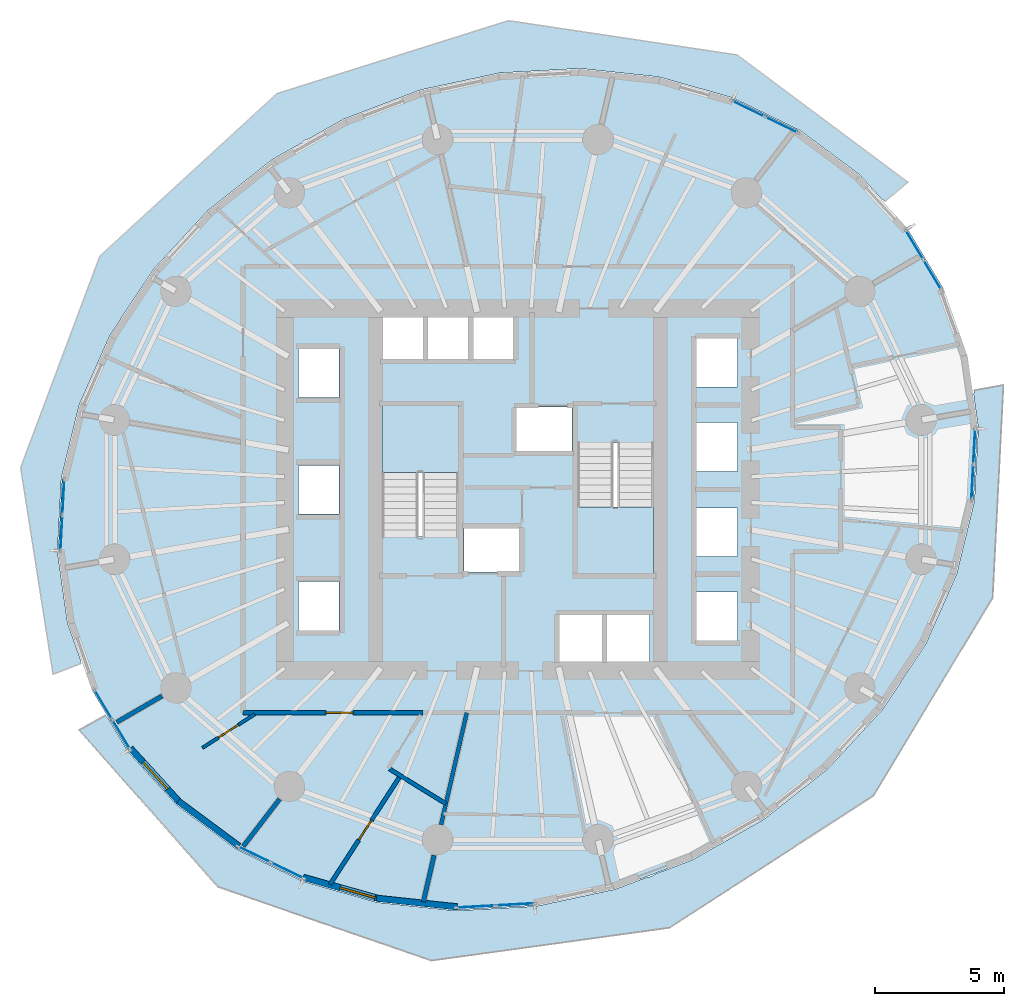
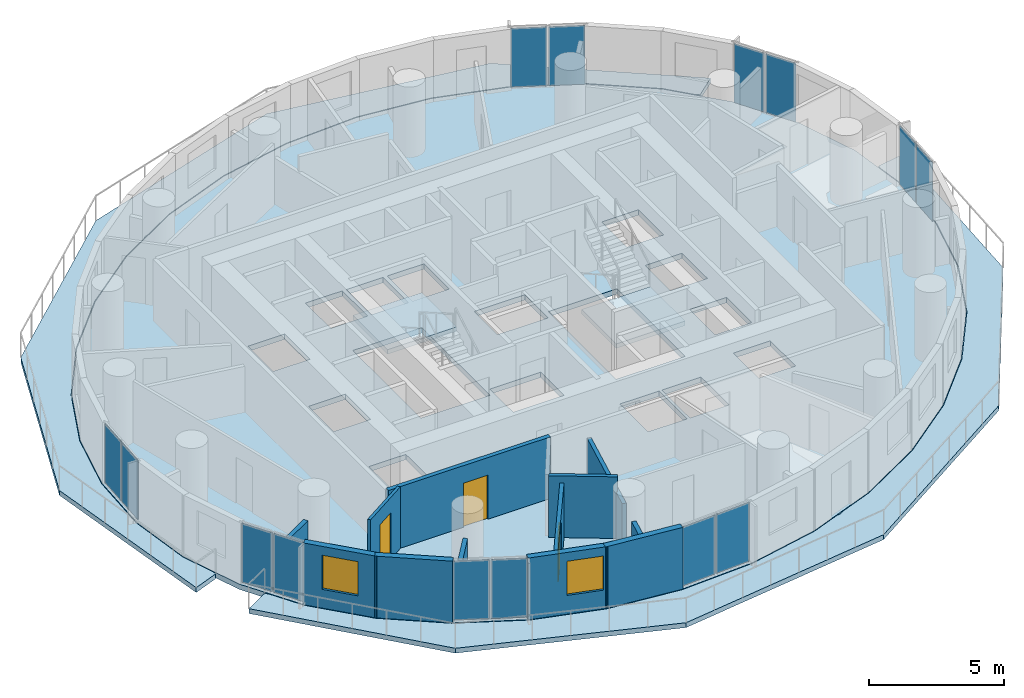
# One storey, part 6 of 15: 14 plates, 12 walls, 5 slabs, 3 doors, 2 windows, 5 openings, 9 elements without a shape of their own.
"""IFC4 building model written with IfcOpenShell, lengths in metres."""

from ifc_helpers import new_model, si_unit, direction, frame, frame_2d, origin, origin_2d, place, context, subcontext, project, spatial, polyline, rectangle, outline, extrude, material, layer, layer_set, type_object, element, fill, aggregate, save


model = new_model("IFC4")

# Units and contexts
model_context = context("Model", 3, precision=1e-05, world=origin(), true_north=direction((0.0, 1.0)))
body_context = subcontext(model_context, "Body", "Model", "MODEL_VIEW")
ifc_project = project(units=[si_unit("LENGTHUNIT", "METRE"), si_unit("AREAUNIT", "SQUARE_METRE"), si_unit("VOLUMEUNIT", "CUBIC_METRE"), si_unit("PLANEANGLEUNIT", "RADIAN"), si_unit("MASSUNIT", "GRAM", prefix="KILO")], contexts=[model_context])

# Site, building, storey
site_placement = place(None, origin())
site = spatial("IfcSite", under=ifc_project, at=site_placement, CompositionType="ELEMENT")
building_placement = place(site_placement, origin())
building = spatial("IfcBuilding", under=site, at=building_placement, Name="Veldorim Arch Residences", CompositionType="ELEMENT")
storey_placement = place(building_placement, frame((0.0, 0.0, 109.280029296875)))
storey = spatial("IfcBuildingStorey", under=building, at=storey_placement, Name="L32", CompositionType="ELEMENT", Elevation=109.280029296875)

# Slabs
ifc_material_1 = material(Name="Concrete C40/50", Category="concrete")
ifc_layer_1 = layer(ifc_material_1, 0.219970703125, Name="Planted Crescent Cantilever Balcony Slab 220")
ifc_layer_set_1 = layer_set([ifc_layer_1], Name="Concrete C40/50")
slab_type_1 = type_object("IfcSlabType", Name="Planted Crescent Cantilever Balcony Slab 220", PredefinedType="FLOOR", material=ifc_layer_set_1)
slab_1_placement = place(storey_placement, frame((0.0, 0.0, -0.219970703125)))
element("IfcSlab", 1, at=slab_1_placement, inside=storey, type_object=slab_type_1, Name="L32 planted crescent balcony slab A", PredefinedType="FLOOR", context=body_context, shape_type="SweptSolid", body=[
    extrude(outline(polyline([(46.057373046875, 35.239501953125), (45.190673828125, 36.190185546875), (42.910888671875, 37.880615234375), (40.2998046875, 39.149169921875), (37.436767578125, 39.957275390625), (34.408447265625, 40.280517578125), (31.307373046875, 40.109375), (28.227294921875, 39.44873046875), (25.261962890625, 38.319091796875), (23.923095703125, 37.56005859375), (23.7548828125, 37.504638671875), (23.631103515625, 37.39453125), (22.501220703125, 36.754150390625), (20.029052734375, 34.802001953125), (17.92041015625, 32.521728515625), (16.2392578125, 29.982421875), (15.036865234375, 27.26123046875), (14.35009765625, 24.44091796875), (14.19921875, 21.606689453125), (14.589599609375, 18.84521484375), (15.085205078125, 17.441650390625), (15.100830078125, 17.272705078125), (14.028564453125, 16.857177734375), (12.7744140625, 24.85107421875), (15.839111328125, 33.02880859375), (22.68603515625, 39.3125), (31.63671875, 42.13330078125), (40.476318359375, 40.808349609375), (47.08251953125, 35.884765625), (46.20166015625, 35.1455078125), (46.057373046875, 35.239501953125)])), origin(), (0.0, 0.0, 1.0), 0.219970703125),
])
slab_2_placement = place(storey_placement, frame((0.0, 0.0, -0.219970703125)))
element("IfcSlab", 2, at=slab_2_placement, inside=storey, type_object=slab_type_1, Name="L32 planted crescent balcony slab B", PredefinedType="FLOOR", context=body_context, shape_type="SweptSolid", body=[
    extrude(outline(polyline([(16.164794921875, 15.1474609375), (16.930419921875, 13.87109375), (18.809326171875, 11.809814453125), (21.089111328125, 10.119384765625), (23.7001953125, 8.850830078125), (26.563232421875, 8.042724609375), (29.591552734375, 7.719482421875), (32.692626953125, 7.890625), (35.772705078125, 8.55126953125), (36.986083984375, 9.013671875), (37.14990234375, 9.038818359375), (37.2998046875, 9.133056640625), (38.738037109375, 9.680908203125), (41.498779296875, 11.245849609375), (43.970947265625, 13.197998046875), (46.07958984375, 15.478271484375), (47.7607421875, 18.017578125), (48.963134765625, 20.73876953125), (49.64990234375, 23.55908203125), (49.80078125, 26.393310546875), (49.62060546875, 27.6669921875), (49.640380859375, 27.838134765625), (50.771484375, 28.045654296875), (50.35400390625, 19.81689453125), (45.740234375, 12.16162109375), (37.861572265625, 7.06298828125), (28.655517578125, 5.79248046875), (20.40087890625, 8.64404296875), (15.041015625, 14.705810546875), (16.044677734375, 15.26708984375), (16.164794921875, 15.1474609375)])), origin(), (0.0, 0.0, 1.0), 0.219970703125),
])

# Stair, slab
ifc_material_2 = material(Name="Concrete C40/50", Category="concrete")
stair_type = type_object("IfcStairType", Name="Reinforced Concrete Dogleg Exit Staircase", PredefinedType="HALF_TURN_STAIR", material=ifc_material_2)
stair_1_placement = place(storey_placement, origin())
stair_1 = element("IfcStair", 3, at=stair_1_placement, inside=storey, type_object=stair_type, Name="L32 Exit Staircase ST-1", PredefinedType="HALF_TURN_STAIR")
ifc_material_3 = material(Name="Concrete C40/50", Category="concrete")
ifc_layer_2 = layer(ifc_material_3, 0.199951171875, Name="Reinforced Concrete Stair Landing 200")
ifc_layer_set_2 = layer_set([ifc_layer_2], Name="Concrete C40/50")
slab_type_2 = type_object("IfcSlabType", Name="Reinforced Concrete Stair Landing 200", PredefinedType="LANDING", material=ifc_layer_set_2)
slab_3_placement = place(storey_placement, frame((0.0, 0.0, 1.39990234375)))
slab_3 = element("IfcSlab", 4, at=slab_3_placement, type_object=slab_type_2, Name="ST-1 landing 1", PredefinedType="LANDING", context=body_context, shape_type="SweptSolid", body=[
    extrude(outline(polyline([(29.7099609375, 24.669921875), (29.7099609375, 27.25), (26.75, 27.25), (26.75, 24.669921875), (29.7099609375, 24.669921875)])), origin(), (0.0, 0.0, 1.0), 0.199951171875),
])
aggregate(stair_1, [slab_3])

stair_2_placement = place(storey_placement, origin())
stair_2 = element("IfcStair", 5, at=stair_2_placement, inside=storey, type_object=stair_type, Name="L32 Exit Staircase ST-2", PredefinedType="HALF_TURN_STAIR")
slab_4_placement = place(storey_placement, frame((0.0, 0.0, 1.39990234375)))
slab_4 = element("IfcSlab", 6, at=slab_4_placement, type_object=slab_type_2, Name="ST-2 landing 1", PredefinedType="LANDING", context=body_context, shape_type="SweptSolid", body=[
    extrude(outline(polyline([(34.2900390625, 23.330078125), (34.2900390625, 20.75), (37.25, 20.75), (37.25, 23.330078125), (34.2900390625, 23.330078125)])), origin(), (0.0, 0.0, 1.0), 0.199951171875),
])
aggregate(stair_2, [slab_4])

# Slab
ifc_material_4 = material(Name="Concrete C40/50", Category="concrete")
ifc_layer_3 = layer(ifc_material_4, 0.239990234375, Name="Typical Residential Floor Slab 240")
ifc_layer_set_3 = layer_set([ifc_layer_3], Name="Concrete C40/50")
slab_type_3 = type_object("IfcSlabType", Name="Typical Residential Floor Slab 240", PredefinedType="FLOOR", material=ifc_layer_set_3)
slab_5_placement = place(storey_placement, frame((0.0, 0.0, -0.239990234375)))
element("IfcSlab", 7, at=slab_5_placement, inside=storey, type_object=slab_type_3, Name="L32 tower structural floor slab", PredefinedType="FLOOR", context=body_context, shape_type="SweptSolid", body=[
    extrude(outline(polyline([(48.468017578125, 31.749267578125), (47.049560546875, 34.114013671875), (45.173828125, 36.17138671875), (42.89794921875, 37.859130859375), (40.291015625, 39.125732421875), (37.431884765625, 39.9326171875), (34.407958984375, 40.255615234375), (31.310791015625, 40.08447265625), (28.234619140625, 39.4248046875), (25.272705078125, 38.29638671875), (22.515380859375, 36.7333984375), (20.046142578125, 34.78369140625), (17.940185546875, 32.50634765625), (16.26123046875, 29.970458984375), (15.060791015625, 27.253173828125), (14.374755859375, 24.43701171875), (14.224365234375, 21.60791015625), (14.614013671875, 18.85107421875), (15.531982421875, 16.250732421875), (16.950439453125, 13.885986328125), (18.826171875, 11.82861328125), (21.10205078125, 10.140869140625), (23.708984375, 8.874267578125), (26.568115234375, 8.0673828125), (29.592041015625, 7.744384765625), (32.689208984375, 7.91552734375), (35.765380859375, 8.5751953125), (38.727294921875, 9.70361328125), (41.484619140625, 11.2666015625), (43.953857421875, 13.21630859375), (46.059814453125, 15.49365234375), (47.73876953125, 18.029541015625), (48.939208984375, 20.746826171875), (49.625244140625, 23.56298828125), (49.775634765625, 26.39208984375), (49.385986328125, 29.14892578125), (48.468017578125, 31.749267578125)]), holes=[polyline([(23.510009765625, 20.43994140625), (25.090087890625, 20.43994140625), (25.090087890625, 18.56005859375), (23.510009765625, 18.56005859375), (23.510009765625, 20.43994140625)]), polyline([(29.909912109375, 22.544921875), (32.090087890625, 22.544921875), (32.090087890625, 20.81494140625), (29.909912109375, 20.81494140625), (29.909912109375, 22.544921875)]), polyline([(23.510009765625, 24.93994140625), (25.090087890625, 24.93994140625), (25.090087890625, 23.06005859375), (23.510009765625, 23.06005859375), (23.510009765625, 24.93994140625)]), polyline([(26.75, 27.25), (29.7099609375, 27.25), (29.7099609375, 22.195068359375), (26.75, 22.195068359375), (26.75, 27.25)]), polyline([(23.510009765625, 29.43994140625), (25.090087890625, 29.43994140625), (25.090087890625, 27.56005859375), (23.510009765625, 27.56005859375), (23.510009765625, 29.43994140625)]), polyline([(26.760009765625, 30.7900390625), (28.340087890625, 30.7900390625), (28.340087890625, 28.909912109375), (26.760009765625, 28.909912109375), (26.760009765625, 30.7900390625)]), polyline([(28.510009765625, 30.7900390625), (30.090087890625, 30.7900390625), (30.090087890625, 28.909912109375), (28.510009765625, 28.909912109375), (28.510009765625, 30.7900390625)]), polyline([(30.260009765625, 30.7900390625), (31.840087890625, 30.7900390625), (31.840087890625, 28.909912109375), (30.260009765625, 28.909912109375), (30.260009765625, 30.7900390625)]), polyline([(33.610107421875, 19.2900390625), (35.2900390625, 19.2900390625), (35.2900390625, 17.2099609375), (33.610107421875, 17.2099609375), (33.610107421875, 19.2900390625)]), polyline([(35.409912109375, 19.2900390625), (37.090087890625, 19.2900390625), (37.090087890625, 17.2099609375), (35.409912109375, 17.2099609375), (35.409912109375, 19.2900390625)]), polyline([(38.909912109375, 20.0400390625), (40.489990234375, 20.0400390625), (40.489990234375, 18.159912109375), (38.909912109375, 18.159912109375), (38.909912109375, 20.0400390625)]), polyline([(38.909912109375, 23.2900390625), (40.489990234375, 23.2900390625), (40.489990234375, 21.409912109375), (38.909912109375, 21.409912109375), (38.909912109375, 23.2900390625)]), polyline([(34.2900390625, 25.804931640625), (37.25, 25.804931640625), (37.25, 20.75), (34.2900390625, 20.75), (34.2900390625, 25.804931640625)]), polyline([(38.909912109375, 26.590087890625), (40.489990234375, 26.590087890625), (40.489990234375, 24.7099609375), (38.909912109375, 24.7099609375), (38.909912109375, 26.590087890625)]), polyline([(31.909912109375, 27.18505859375), (34.090087890625, 27.18505859375), (34.090087890625, 25.455078125), (31.909912109375, 25.455078125), (31.909912109375, 27.18505859375)]), polyline([(38.909912109375, 29.840087890625), (40.489990234375, 29.840087890625), (40.489990234375, 27.9599609375), (38.909912109375, 27.9599609375), (38.909912109375, 29.840087890625)])]), origin(), (0.0, 0.0, 1.0), 0.239990234375),
])

# Curtain wall, plates
ifc_material_5 = material(Name="Aluminium", Category="aluminium")
curtain_wall_type = type_object("IfcCurtainWallType", Name="Zone 2 Solar-Control Unitised Curtain Wall", PredefinedType="NOTDEFINED", material=ifc_material_5)
curtain_wall_1_placement = place(storey_placement, origin())
curtain_wall_1 = element("IfcCurtainWall", 8, at=curtain_wall_1_placement, inside=storey, type_object=curtain_wall_type, Name="L32 unitised curtain wall bay 01", PredefinedType="NOTDEFINED")
ifc_material_6 = material(Name="Laminated Low-E Glass", Category="glass")
ifc_layer_4 = layer(ifc_material_6, 0.02587890625, Name="Zone 2 Solar-Control Unitised Curtain Wall Glazing Panel 26")
ifc_layer_set_4 = layer_set([ifc_layer_4], Name="Laminated Low-E Glass")
plate_type = type_object("IfcPlateType", Name="Zone 2 Solar-Control Unitised Curtain Wall Glazing Panel 26", PredefinedType="CURTAIN_PANEL", material=ifc_layer_set_4)
plate_1_placement = place(storey_placement, frame((47.335205078125, 33.462646484375, 0.06494140625), z_axis=(0.0, 0.0, 1.0), x_axis=(0.514367759315, -0.85756971039, 0.0)))
plate_1 = element("IfcPlate", 9, at=plate_1_placement, type_object=plate_type, Name="CW-Z2 panel 1.1", PredefinedType="CURTAIN_PANEL", context=body_context, shape_type="SweptSolid", body=[
    extrude(rectangle(XDim=1.28125, YDim=0.02587890625, at=origin_2d()), origin(), (0.0, 0.0, 1.0), 2.669921875),
])
plate_2_placement = place(storey_placement, frame((48.02783203125, 32.30810546875, 0.06494140625), z_axis=(0.0, 0.0, 1.0), x_axis=(0.514367759315, -0.85756971039, 0.0)))
plate_2 = element("IfcPlate", 10, at=plate_2_placement, type_object=plate_type, Name="CW-Z2 panel 2.1", PredefinedType="CURTAIN_PANEL", context=body_context, shape_type="SweptSolid", body=[
    extrude(rectangle(XDim=1.28125, YDim=0.02587890625, at=origin_2d()), origin(), (0.0, 0.0, 1.0), 2.669921875),
])
aggregate(curtain_wall_1, [plate_1, plate_2])

curtain_wall_2_placement = place(storey_placement, origin())
curtain_wall_2 = element("IfcCurtainWall", 11, at=curtain_wall_2_placement, inside=storey, type_object=curtain_wall_type, Name="L32 unitised curtain wall bay 04", PredefinedType="NOTDEFINED")
plate_3_placement = place(storey_placement, frame((40.91796875, 38.720947265625, 0.06494140625), z_axis=(0.0, 0.0, 1.0), x_axis=(0.899461664946, -0.436999671959, 0.0)))
plate_3 = element("IfcPlate", 12, at=plate_3_placement, type_object=plate_type, Name="CW-Z2 panel 1.1", PredefinedType="CURTAIN_PANEL", context=body_context, shape_type="SweptSolid", body=[
    extrude(rectangle(XDim=1.351806640625, YDim=0.02587890625, at=origin_2d()), origin(), (0.0, 0.0, 1.0), 2.669921875),
])
plate_4_placement = place(storey_placement, frame((42.192138671875, 38.101806640625, 0.06494140625), z_axis=(0.0, 0.0, 1.0), x_axis=(0.899461664946, -0.436999671959, 0.0)))
plate_4 = element("IfcPlate", 13, at=plate_4_placement, type_object=plate_type, Name="CW-Z2 panel 2.1", PredefinedType="CURTAIN_PANEL", context=body_context, shape_type="SweptSolid", body=[
    extrude(rectangle(XDim=1.351806640625, YDim=0.02587890625, at=origin_2d()), origin(), (0.0, 0.0, 1.0), 2.669921875),
])
aggregate(curtain_wall_2, [plate_3, plate_4])

curtain_wall_3_placement = place(storey_placement, origin())
curtain_wall_3 = element("IfcCurtainWall", 14, at=curtain_wall_3_placement, inside=storey, type_object=curtain_wall_type, Name="L32 unitised curtain wall bay 16", PredefinedType="NOTDEFINED")
plate_5_placement = place(storey_placement, frame((14.352783203125, 22.32666015625, 0.06494140625), z_axis=(0.0, 0.0, 1.0), x_axis=(0.053083077429, 0.998590099536, 0.0)))
plate_5 = element("IfcPlate", 15, at=plate_5_placement, type_object=plate_type, Name="CW-Z2 panel 1.1", PredefinedType="CURTAIN_PANEL", context=body_context, shape_type="SweptSolid", body=[
    extrude(rectangle(XDim=1.319091796875, YDim=0.02587890625, at=origin_2d()), origin(), (0.0, 0.0, 1.0), 2.669921875),
])
plate_6_placement = place(storey_placement, frame((14.42626953125, 23.708740234375, 0.06494140625), z_axis=(0.0, 0.0, 1.0), x_axis=(0.053083077429, 0.998590099536, 0.0)))
plate_6 = element("IfcPlate", 16, at=plate_6_placement, type_object=plate_type, Name="CW-Z2 panel 2.1", PredefinedType="CURTAIN_PANEL", context=body_context, shape_type="SweptSolid", body=[
    extrude(rectangle(XDim=1.319091796875, YDim=0.02587890625, at=origin_2d()), origin(), (0.0, 0.0, 1.0), 2.669921875),
])
aggregate(curtain_wall_3, [plate_5, plate_6])

curtain_wall_4_placement = place(storey_placement, origin())
curtain_wall_4 = element("IfcCurtainWall", 17, at=curtain_wall_4_placement, inside=storey, type_object=curtain_wall_type, Name="L32 unitised curtain wall bay 19", PredefinedType="NOTDEFINED")
plate_7_placement = place(storey_placement, frame((16.664794921875, 14.537353515625, 0.06494140625), z_axis=(0.0, 0.0, 1.0), x_axis=(-0.514367759315, 0.85756971039, 0.0)))
plate_7 = element("IfcPlate", 18, at=plate_7_placement, type_object=plate_type, Name="CW-Z2 panel 1.1", PredefinedType="CURTAIN_PANEL", context=body_context, shape_type="SweptSolid", body=[
    extrude(rectangle(XDim=1.28125, YDim=0.02587890625, at=origin_2d()), origin(), (0.0, 0.0, 1.0), 2.669921875),
])
plate_8_placement = place(storey_placement, frame((15.97216796875, 15.69189453125, 0.06494140625), z_axis=(0.0, 0.0, 1.0), x_axis=(-0.514367759315, 0.85756971039, 0.0)))
plate_8 = element("IfcPlate", 19, at=plate_8_placement, type_object=plate_type, Name="CW-Z2 panel 2.1", PredefinedType="CURTAIN_PANEL", context=body_context, shape_type="SweptSolid", body=[
    extrude(rectangle(XDim=1.28125, YDim=0.02587890625, at=origin_2d()), origin(), (0.0, 0.0, 1.0), 2.669921875),
])
aggregate(curtain_wall_4, [plate_7, plate_8])

curtain_wall_5_placement = place(storey_placement, origin())
curtain_wall_5 = element("IfcCurtainWall", 20, at=curtain_wall_5_placement, inside=storey, type_object=curtain_wall_type, Name="L32 unitised curtain wall bay 22", PredefinedType="NOTDEFINED")
plate_9_placement = place(storey_placement, frame((23.08203125, 9.279052734375, 0.06494140625), z_axis=(0.0, 0.0, 1.0), x_axis=(-0.899461664946, 0.436999671959, 0.0)))
plate_9 = element("IfcPlate", 21, at=plate_9_placement, type_object=plate_type, Name="CW-Z2 panel 1.1", PredefinedType="CURTAIN_PANEL", context=body_context, shape_type="SweptSolid", body=[
    extrude(rectangle(XDim=1.351806640625, YDim=0.02587890625, at=origin_2d()), origin(), (0.0, 0.0, 1.0), 2.669921875),
])
plate_10_placement = place(storey_placement, frame((21.807861328125, 9.898193359375, 0.06494140625), z_axis=(0.0, 0.0, 1.0), x_axis=(-0.899461664946, 0.436999671959, 0.0)))
plate_10 = element("IfcPlate", 22, at=plate_10_placement, type_object=plate_type, Name="CW-Z2 panel 2.1", PredefinedType="CURTAIN_PANEL", context=body_context, shape_type="SweptSolid", body=[
    extrude(rectangle(XDim=1.351806640625, YDim=0.02587890625, at=origin_2d()), origin(), (0.0, 0.0, 1.0), 2.669921875),
])
aggregate(curtain_wall_5, [plate_9, plate_10])

curtain_wall_6_placement = place(storey_placement, origin())
curtain_wall_6 = element("IfcCurtainWall", 23, at=curtain_wall_6_placement, inside=storey, type_object=curtain_wall_type, Name="L32 unitised curtain wall bay 25", PredefinedType="NOTDEFINED")
plate_11_placement = place(storey_placement, frame((31.893798828125, 7.961669921875, 0.06494140625), z_axis=(0.0, 0.0, 1.0), x_axis=(-0.998479339649, -0.055127201045, 0.0)))
plate_11 = element("IfcPlate", 24, at=plate_11_placement, type_object=plate_type, Name="CW-Z2 panel 1.1", PredefinedType="CURTAIN_PANEL", context=body_context, shape_type="SweptSolid", body=[
    extrude(rectangle(XDim=1.453369140625, YDim=0.02587890625, at=origin_2d()), origin(), (0.0, 0.0, 1.0), 2.669921875),
])
plate_12_placement = place(storey_placement, frame((30.377685546875, 7.8779296875, 0.06494140625), z_axis=(0.0, 0.0, 1.0), x_axis=(-0.998479339649, -0.055127201045, 0.0)))
plate_12 = element("IfcPlate", 25, at=plate_12_placement, type_object=plate_type, Name="CW-Z2 panel 2.1", PredefinedType="CURTAIN_PANEL", context=body_context, shape_type="SweptSolid", body=[
    extrude(rectangle(XDim=1.453369140625, YDim=0.02587890625, at=origin_2d()), origin(), (0.0, 0.0, 1.0), 2.669921875),
])
aggregate(curtain_wall_6, [plate_11, plate_12])

curtain_wall_7_placement = place(storey_placement, origin())
curtain_wall_7 = element("IfcCurtainWall", 26, at=curtain_wall_7_placement, inside=storey, type_object=curtain_wall_type, Name="L32 unitised curtain wall bay 34", PredefinedType="NOTDEFINED")
plate_13_placement = place(storey_placement, frame((49.647216796875, 25.67333984375, 0.06494140625), z_axis=(0.0, 0.0, 1.0), x_axis=(-0.053083077429, -0.998590099536, 0.0)))
plate_13 = element("IfcPlate", 27, at=plate_13_placement, type_object=plate_type, Name="CW-Z2 panel 1.1", PredefinedType="CURTAIN_PANEL", context=body_context, shape_type="SweptSolid", body=[
    extrude(rectangle(XDim=1.319091796875, YDim=0.02587890625, at=origin_2d()), origin(), (0.0, 0.0, 1.0), 2.669921875),
])
plate_14_placement = place(storey_placement, frame((49.57373046875, 24.291259765625, 0.06494140625), z_axis=(0.0, 0.0, 1.0), x_axis=(-0.053083077429, -0.998590099536, 0.0)))
plate_14 = element("IfcPlate", 28, at=plate_14_placement, type_object=plate_type, Name="CW-Z2 panel 2.1", PredefinedType="CURTAIN_PANEL", context=body_context, shape_type="SweptSolid", body=[
    extrude(rectangle(XDim=1.319091796875, YDim=0.02587890625, at=origin_2d()), origin(), (0.0, 0.0, 1.0), 2.669921875),
])
aggregate(curtain_wall_7, [plate_13, plate_14])

# Wall, opening, door
ifc_material_7 = material(Name="Acoustic Gypsum Board", Category="gypsum")
ifc_layer_5 = layer(ifc_material_7, 0.125, Name="Acoustic Stud Room Partition Wall 125")
ifc_layer_set_5 = layer_set([ifc_layer_5], Name="Acoustic Gypsum Board")
wall_type_1 = type_object("IfcWallType", Name="Acoustic Stud Room Partition Wall 125", PredefinedType="PARTITIONING", material=ifc_layer_set_5)
wall_1_placement = place(storey_placement, frame((19.80224609375, 14.01416015625, 0.0), z_axis=(0.0, 0.0, 1.0), x_axis=(0.841349696578, 0.540491154477, 0.0)))
wall_1 = element("IfcWall", 29, at=wall_1_placement, inside=storey, type_object=wall_type_1, Name="L32 interior wall WL-RES-L32-033", PredefinedType="PARTITIONING", context=body_context, shape_type="SweptSolid", body=[
    extrude(rectangle(XDim=2.408447265625, YDim=0.125, at=frame_2d((1.2041015625, 0.0))), origin(), (0.0, 0.0, 1.0), 2.794921875),
])
opening_1_placement = place(wall_1_placement, frame((0.754150390625, 0.0, 0.0)))
opening_1 = element("IfcOpeningElement", 30, at=opening_1_placement, cuts=wall_1, Name="Opening DR-INT", PredefinedType="OPENING", context=body_context, shape_type="SweptSolid", body=[
    extrude(rectangle(XDim=0.89990234375, YDim=2.10009765625, at=frame_2d((0.449951171875, 1.050048828125))), frame((0.0, 0.072509765625, 0.0), z_axis=(0.0, -1.0, 0.0), x_axis=(1.0, 0.0, 0.0)), (0.0, 0.0, 1.0), 0.14501953125),
])
ifc_material_8 = material(Name="Engineered Timber", Category="wood")
door_type_1 = type_object("IfcDoorType", Name="Apartment Internal Room Timber Door 900x2100", OperationType="SINGLE_SWING_LEFT", PredefinedType="DOOR", material=ifc_material_8)
door_1_placement = place(opening_1_placement, origin())
door_1 = element("IfcDoor", 31, at=door_1_placement, inside=storey, type_object=door_type_1, Name="L32 interior door DR-RES-L32-021", OperationType="SINGLE_SWING_LEFT", OverallHeight=2.10009765625, OverallWidth=0.89990234375, PredefinedType="DOOR", context=body_context, shape_type="SweptSolid", body=[
    extrude(rectangle(XDim=0.89990234375, YDim=2.10009765625, at=frame_2d((0.449951171875, 1.050048828125))), frame((0.0, 0.02490234375, 0.0), z_axis=(0.0, -1.0, 0.0), x_axis=(1.0, 0.0, 0.0)), (0.0, 0.0, 1.0), 0.050048828125),
])
fill(opening_1, door_1)

# Walls
ifc_material_9 = material(Name="Lightweight Masonry Block & Gypsum", Category="masonry")
ifc_layer_6 = layer(ifc_material_9, 0.179931640625, Name="Compartment & Corridor Fire-Rated Party Wall 180")
ifc_layer_set_6 = layer_set([ifc_layer_6], Name="Lightweight Masonry Block & Gypsum")
wall_type_2 = type_object("IfcWallType", Name="Compartment & Corridor Fire-Rated Party Wall 180", PredefinedType="PARTITIONING", material=ifc_layer_set_6)
wall_2_placement = place(storey_placement, frame((18.243408203125, 16.022216796875, 0.0), z_axis=(0.0, 0.0, 1.0), x_axis=(-0.865046864493, -0.501691062539, 0.0)))
element("IfcWall", 32, at=wall_2_placement, inside=storey, type_object=wall_type_2, Name="L32 interior wall WL-PIER-L32-10", PredefinedType="PARTITIONING", context=body_context, shape_type="SweptSolid", body=[
    extrude(rectangle(XDim=2.02783203125, YDim=0.179931640625, at=frame_2d((1.013916015625, 0.0))), origin(), (0.0, 0.0, 1.0), 2.100341796875),
])
wall_3_placement = place(storey_placement, frame((22.7880859375, 12.034423828125, 0.0), z_axis=(0.0, 0.0, 1.0), x_axis=(-0.610007255548, -0.792395827967, 0.0)))
element("IfcWall", 33, at=wall_3_placement, inside=storey, type_object=wall_type_2, Name="L32 interior wall WL-PIER-L32-11", PredefinedType="PARTITIONING", context=body_context, shape_type="SweptSolid", body=[
    extrude(rectangle(XDim=2.3076171875, YDim=0.179931640625, at=frame_2d((1.15380859375, 0.0))), origin(), (0.0, 0.0, 1.0), 2.100341796875),
])
wall_4_placement = place(storey_placement, frame((28.759521484375, 9.86083984375, 0.0), z_axis=(0.0, 0.0, 1.0), x_axis=(-0.2234127464, -0.974723932581, 0.0)))
element("IfcWall", 34, at=wall_4_placement, inside=storey, type_object=wall_type_2, Name="L32 interior wall WL-PIER-L32-12", PredefinedType="PARTITIONING", context=body_context, shape_type="SweptSolid", body=[
    extrude(rectangle(XDim=1.848876953125, YDim=0.179931640625, at=frame_2d((0.92431640625, 0.0))), origin(), (0.0, 0.0, 1.0), 2.100341796875),
])

# Wall, opening, door
wall_5_placement = place(storey_placement, frame((28.3251953125, 15.3701171875, 0.0), z_axis=(0.0, 0.0, 1.0), x_axis=(-1.0, 0.0, 0.0)))
wall_5 = element("IfcWall", 35, at=wall_5_placement, inside=storey, type_object=wall_type_2, Name="L32 interior wall WL-RES-L32-010", PredefinedType="PARTITIONING", context=body_context, shape_type="SweptSolid", body=[
    extrude(rectangle(XDim=6.955078125, YDim=0.179931640625, at=frame_2d((3.4775390625, 0.0))), origin(), (0.0, 0.0, 1.0), 2.794921875),
])
opening_2_placement = place(wall_5_placement, frame((2.69970703125, 0.0, 0.0)))
opening_2 = element("IfcOpeningElement", 36, at=opening_2_placement, cuts=wall_5, Name="Opening DR-FLT2", PredefinedType="OPENING", context=body_context, shape_type="SweptSolid", body=[
    extrude(rectangle(XDim=1.050048828125, YDim=2.0, at=frame_2d((0.52490234375, 1.0))), frame((0.0, 0.099853515625, 0.0), z_axis=(0.0, -1.0, 0.0), x_axis=(1.0, 0.0, 0.0)), (0.0, 0.0, 1.0), 0.199951171875),
])
ifc_material_10 = material(Name="Fire-Rated Timber", Category="wood")
door_type_2 = type_object("IfcDoorType", Name="Apartment Entrance Low-Soffit Fire Door 1050x2000", OperationType="SINGLE_SWING_LEFT", PredefinedType="DOOR", material=ifc_material_10)
door_2_placement = place(opening_2_placement, origin())
door_2 = element("IfcDoor", 37, at=door_2_placement, inside=storey, type_object=door_type_2, Name="L32 interior door DR-RES-L32-019", OperationType="SINGLE_SWING_LEFT", OverallHeight=2.0, OverallWidth=1.050048828125, PredefinedType="DOOR", context=body_context, shape_type="SweptSolid", body=[
    extrude(rectangle(XDim=1.050048828125, YDim=2.0, at=frame_2d((0.52490234375, 1.0))), frame((0.0, 0.02490234375, 0.0), z_axis=(0.0, -1.0, 0.0), x_axis=(1.0, 0.0, 0.0)), (0.0, 0.0, 1.0), 0.050048828125),
])
fill(opening_2, door_2)

# Wall, opening, window
ifc_material_11 = material(Name="Precast concrete C40/50", Category="concrete")
ifc_layer_7 = layer(ifc_material_11, 0.25, Name="Tower Terracotta Spandrel & Pier Wall 250")
ifc_layer_set_7 = layer_set([ifc_layer_7], Name="Precast concrete C40/50")
wall_type_3 = type_object("IfcWallType", Name="Tower Terracotta Spandrel & Pier Wall 250", PredefinedType="SOLIDWALL", material=ifc_layer_set_7)
wall_6_placement = place(storey_placement, frame((18.948974609375, 11.87939453125, 0.0), z_axis=(0.0, 0.0, 1.0), x_axis=(-0.673691100196, 0.739013059098, 0.0)))
wall_6 = element("IfcWall", 38, at=wall_6_placement, inside=storey, type_object=wall_type_3, Name="L32 terracotta facade wall 20", PredefinedType="SOLIDWALL", context=body_context, shape_type="SweptSolid", body=[
    extrude(rectangle(XDim=2.8740234375, YDim=0.25, at=frame_2d((1.43701171875, 0.0))), origin(), (0.0, 0.0, 1.0), 2.800048828125),
])
opening_3_placement = place(wall_6_placement, frame((0.737060546875, 0.0, 0.85009765625)))
opening_3 = element("IfcOpeningElement", 39, at=opening_3_placement, cuts=wall_6, Name="Opening WN-02", PredefinedType="OPENING", context=body_context, shape_type="SweptSolid", body=[
    extrude(rectangle(XDim=1.39990234375, YDim=1.550048828125, at=frame_2d((0.699951171875, 0.77490234375))), frame((0.0, 0.135009765625, 0.0), z_axis=(0.0, -1.0, 0.0), x_axis=(1.0, 0.0, 0.0)), (0.0, 0.0, 1.0), 0.27001953125),
])
ifc_material_12 = material(Name="Laminated Low-E Glass", Category="glass")
window_type = type_object("IfcWindowType", Name="Residential Casement Window 1400x1550", PartitioningType="SINGLE_PANEL", PredefinedType="WINDOW", material=ifc_material_12)
window_1_placement = place(opening_3_placement, origin())
window_1 = element("IfcWindow", 40, at=window_1_placement, inside=storey, type_object=window_type, Name="L32 solar-control facade window 20", OverallHeight=1.550048828125, OverallWidth=1.39990234375, PartitioningType="SINGLE_PANEL", PredefinedType="WINDOW", context=body_context, shape_type="SweptSolid", body=[
    extrude(rectangle(XDim=1.39990234375, YDim=1.550048828125, at=frame_2d((0.699951171875, 0.77490234375))), frame((0.0, 0.030029296875, 0.0), z_axis=(0.0, -1.0, 0.0), x_axis=(1.0, 0.0, 0.0)), (0.0, 0.0, 1.0), 0.06005859375),
])
fill(opening_3, window_1)

# Wall
wall_7_placement = place(storey_placement, frame((21.212646484375, 10.214599609375, 0.0), z_axis=(0.0, 0.0, 1.0), x_axis=(-0.803255279066, 0.595634918933, 0.0)))
element("IfcWall", 41, at=wall_7_placement, inside=storey, type_object=wall_type_3, Name="L32 terracotta facade wall 21", PredefinedType="SOLIDWALL", context=body_context, shape_type="SweptSolid", body=[
    extrude(rectangle(XDim=2.92333984375, YDim=0.25, at=frame_2d((1.461669921875, 0.0))), origin(), (0.0, 0.0, 1.0), 2.800048828125),
])

# Wall, opening, window
wall_8_placement = place(storey_placement, frame((26.6455078125, 8.17529296875, 0.0), z_axis=(0.0, 0.0, 1.0), x_axis=(-0.962391946781, 0.271664758059, 0.0)))
wall_8 = element("IfcWall", 42, at=wall_8_placement, inside=storey, type_object=wall_type_3, Name="L32 terracotta facade wall 23", PredefinedType="SOLIDWALL", context=body_context, shape_type="SweptSolid", body=[
    extrude(rectangle(XDim=3.06103515625, YDim=0.25, at=frame_2d((1.530517578125, 0.0))), origin(), (0.0, 0.0, 1.0), 2.800048828125),
])
opening_4_placement = place(wall_8_placement, frame((0.175048828125, 0.0, 0.85009765625)))
opening_4 = element("IfcOpeningElement", 43, at=opening_4_placement, cuts=wall_8, Name="Opening WN-02", PredefinedType="OPENING", context=body_context, shape_type="SweptSolid", body=[
    extrude(rectangle(XDim=1.39990234375, YDim=1.550048828125, at=frame_2d((0.699951171875, 0.77490234375))), frame((0.0, 0.135009765625, 0.0), z_axis=(0.0, -1.0, 0.0), x_axis=(1.0, 0.0, 0.0)), (0.0, 0.0, 1.0), 0.27001953125),
])
window_2_placement = place(opening_4_placement, origin())
window_2 = element("IfcWindow", 44, at=window_2_placement, inside=storey, type_object=window_type, Name="L32 solar-control facade window 23", OverallHeight=1.550048828125, OverallWidth=1.39990234375, PartitioningType="SINGLE_PANEL", PredefinedType="WINDOW", context=body_context, shape_type="SweptSolid", body=[
    extrude(rectangle(XDim=1.39990234375, YDim=1.550048828125, at=frame_2d((0.699951171875, 0.77490234375))), frame((0.0, 0.030029296875, 0.0), z_axis=(0.0, -1.0, 0.0), x_axis=(1.0, 0.0, 0.0)), (0.0, 0.0, 1.0), 0.06005859375),
])
fill(opening_4, window_2)

# Walls
wall_9_placement = place(storey_placement, frame((29.650146484375, 7.864013671875, 0.0), z_axis=(0.0, 0.0, 1.0), x_axis=(-0.994353607356, 0.106117404502, 0.0)))
element("IfcWall", 45, at=wall_9_placement, inside=storey, type_object=wall_type_3, Name="L32 terracotta facade wall 24", PredefinedType="SOLIDWALL", context=body_context, shape_type="SweptSolid", body=[
    extrude(rectangle(XDim=3.131103515625, YDim=0.25, at=frame_2d((1.5654296875, 0.0))), origin(), (0.0, 0.0, 1.0), 2.800048828125),
])
ifc_material_13 = material(Name="Moisture-Resistant Gypsum & Stud", Category="gypsum")
ifc_layer_8 = layer(ifc_material_13, 0.159912109375, Name="Wet-Area Moisture-Resistant Plumbing Wall 160")
ifc_layer_set_8 = layer_set([ifc_layer_8], Name="Moisture-Resistant Gypsum & Stud")
wall_type_4 = type_object("IfcWallType", Name="Wet-Area Moisture-Resistant Plumbing Wall 160", PredefinedType="PLUMBINGWALL", material=ifc_layer_set_8)
wall_10_placement = place(storey_placement, frame((29.02978515625, 11.04052734375, 0.0), z_axis=(0.0, 0.0, 1.0), x_axis=(0.223478419757, 0.974708877513, 0.0)))
element("IfcWall", 46, at=wall_10_placement, inside=storey, type_object=wall_type_4, Name="L32 interior wall WL-RES-L32-015", PredefinedType="PLUMBINGWALL", context=body_context, shape_type="SweptSolid", body=[
    extrude(rectangle(XDim=4.44189453125, YDim=0.159912109375, at=frame_2d((2.220947265625, 0.0))), origin(), (0.0, 0.0, 1.0), 2.100341796875),
])

# Wall, opening, door
wall_11_placement = place(storey_placement, frame((27.457763671875, 12.93994140625, 0.0), z_axis=(0.0, 0.0, 1.0), x_axis=(-0.543424886613, -0.839457796801, 0.0)))
wall_11 = element("IfcWall", 47, at=wall_11_placement, inside=storey, type_object=wall_type_4, Name="L32 interior wall WL-RES-L32-032", PredefinedType="PLUMBINGWALL", context=body_context, shape_type="SweptSolid", body=[
    extrude(rectangle(XDim=5.01416015625, YDim=0.159912109375, at=frame_2d((2.507080078125, 0.0))), origin(), (0.0, 0.0, 1.0), 2.4814453125),
])
opening_5_placement = place(wall_11_placement, frame((2.056884765625, 0.0, 0.0)))
opening_5 = element("IfcOpeningElement", 48, at=opening_5_placement, cuts=wall_11, Name="Opening DR-WC", PredefinedType="OPENING", context=body_context, shape_type="SweptSolid", body=[
    extrude(rectangle(XDim=0.89990234375, YDim=2.10009765625, at=frame_2d((0.449951171875, 1.050048828125))), frame((0.0, 0.08984375, 0.0), z_axis=(0.0, -1.0, 0.0), x_axis=(1.0, 0.0, 0.0)), (0.0, 0.0, 1.0), 0.179931640625),
])
ifc_material_14 = material(Name="Laminate Timber", Category="wood")
door_type_3 = type_object("IfcDoorType", Name="Bathroom & Accessible WC Moisture-Sealed Door 900x2100", OperationType="SINGLE_SWING_LEFT", PredefinedType="DOOR", material=ifc_material_14)
door_3_placement = place(opening_5_placement, origin())
door_3 = element("IfcDoor", 49, at=door_3_placement, inside=storey, type_object=door_type_3, Name="L32 interior door DR-RES-L32-020", OperationType="SINGLE_SWING_RIGHT", OverallHeight=2.10009765625, OverallWidth=0.89990234375, PredefinedType="DOOR", context=body_context, shape_type="SweptSolid", body=[
    extrude(rectangle(XDim=0.89990234375, YDim=2.10009765625, at=frame_2d((0.449951171875, 1.050048828125))), frame((0.0, 0.02490234375, 0.0), z_axis=(0.0, -1.0, 0.0), x_axis=(1.0, 0.0, 0.0)), (0.0, 0.0, 1.0), 0.050048828125),
])
fill(opening_5, door_3)

# Wall
wall_12_placement = place(storey_placement, frame((27.03759765625, 13.19873046875, 0.0), z_axis=(0.0, 0.0, 1.0), x_axis=(0.851314293413, -0.524656052887, 0.0)))
element("IfcWall", 50, at=wall_12_placement, inside=storey, type_object=wall_type_4, Name="L32 interior wall WL-RES-L32-035", PredefinedType="PLUMBINGWALL", context=body_context, shape_type="SweptSolid", body=[
    extrude(rectangle(XDim=2.559814453125, YDim=0.159912109375, at=frame_2d((1.27978515625, 0.0))), origin(), (0.0, 0.0, 1.0), 2.794921875),
])

save(model, "model.ifc")
